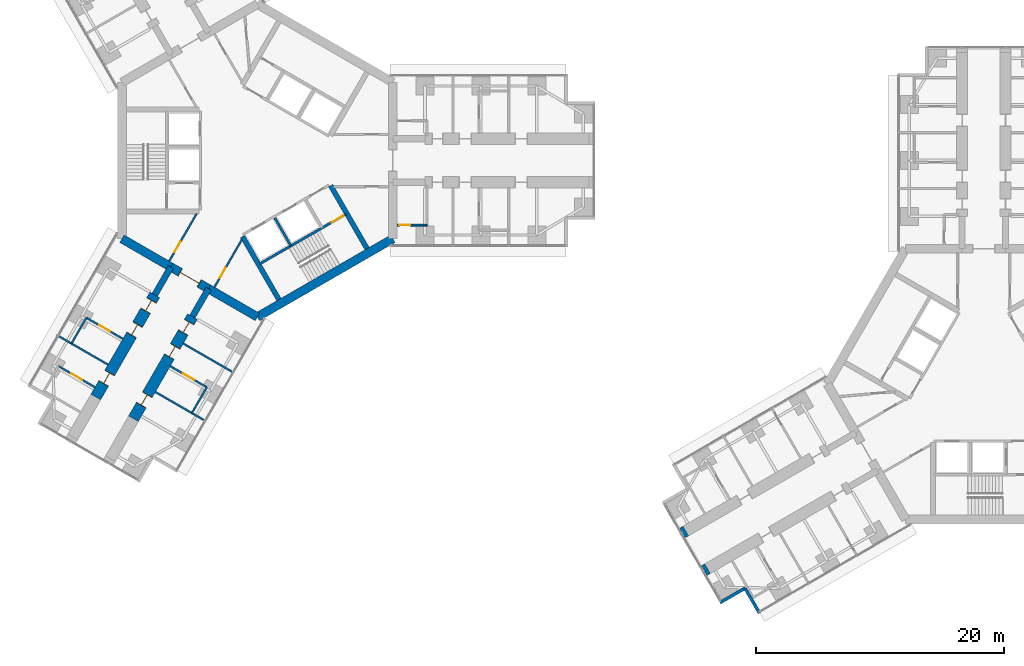
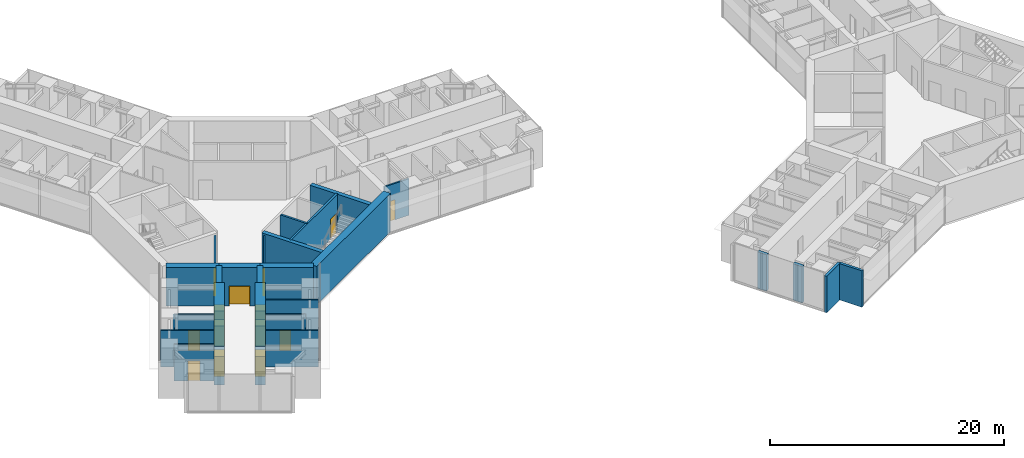
# One storey, part 16 of 24: 27 walls, 14 doors, 14 openings.
"""IFC4 building model written with IfcOpenShell, lengths in metres."""

from ifc_helpers import new_model, si_unit, direction, frame, frame_2d, origin, place, context, subcontext, project, spatial, rectangle, extrude, material, layer, layer_set, type_object, element, fill, save


model = new_model("IFC4")

# Units and contexts
model_context = context("Model", 3, precision=1e-05, world=origin(), true_north=direction((0.0, 1.0)))
body_context = subcontext(model_context, "Body", "Model", "MODEL_VIEW")
ifc_project = project(units=[si_unit("LENGTHUNIT", "METRE"), si_unit("AREAUNIT", "SQUARE_METRE"), si_unit("VOLUMEUNIT", "CUBIC_METRE"), si_unit("PLANEANGLEUNIT", "RADIAN"), si_unit("MASSUNIT", "GRAM", prefix="KILO")], contexts=[model_context])

# Site, building, storey
site_placement = place(None, origin())
site = spatial("IfcSite", under=ifc_project, at=site_placement, CompositionType="ELEMENT")
building_placement = place(site_placement, origin())
building = spatial("IfcBuilding", under=site, at=building_placement, Name="Upepo Twin Towers", CompositionType="ELEMENT")
storey_placement = place(building_placement, frame((0.0, 0.0, 68.5)))
storey = spatial("IfcBuildingStorey", under=building, at=storey_placement, Name="L16", CompositionType="ELEMENT", Elevation=68.5)

# Walls
ifc_material_1 = material(Name="Dense concrete blockwork", Category="masonry")
ifc_layer_1 = layer(ifc_material_1, 0.89990234375)
ifc_layer_set_1 = layer_set([ifc_layer_1], Name="Buttress closer 900, blockwork with fire-stopping to the curtain wall")
wall_type_1 = type_object("IfcWallType", Name="Buttress closer 900, blockwork with fire-stopping to the curtain wall", PredefinedType="PARTITIONING", material=ifc_layer_set_1)
for number, where, z_axis, x_axis, name in (
    (1, (36.252197265625, -32.865478515625, 0.0), (0.0, 0.0, 1.0), (-0.866054481515, -0.499949632511, 0.0), "T2 L16 wing B buttress closer L"),
    (2, (34.502197265625, -29.83447265625, 0.0), (0.0, 0.0, 1.0), (-0.866054481515, -0.499949632511, 0.0), "T2 L16 wing B buttress closer R"),
):
    element("IfcWall", number, at=place(storey_placement, frame(where, z_axis=z_axis, x_axis=x_axis)), inside=storey, type_object=wall_type_1, Name=name, PredefinedType="PARTITIONING", context=body_context, shape_type="SweptSolid", body=[
        extrude(rectangle(XDim=0.31005859375, YDim=0.89990234375, at=frame_2d((0.155029296875, 0.0))), origin(), (0.0, 0.0, 1.0), 3.800048828125),
    ])
ifc_material_2 = material(Name="Concrete C60/75", Category="concrete")
ifc_layer_2 = layer(ifc_material_2, 0.5)
ifc_layer_set_2 = layer_set([ifc_layer_2], Name="Concrete C60/75")
wall_type_2 = type_object("IfcWallType", Name="Buttress wall 500 RC", PredefinedType="SHEAR", material=ifc_layer_set_2)
for number, where, z_axis, x_axis, name in (
    (3, (-3.938720703125, -10.32177734375, 0.0), (0.0, 0.0, 1.0), (-0.499918158782, -0.866072649678, 0.0), "T1 wing C buttress wall L"),
    (4, (-6.9697265625, -8.57177734375, 0.0), (0.0, 0.0, 1.0), (-0.499988811324, -0.866031863473, 0.0), "T1 wing C buttress wall R"),
):
    element("IfcWall", number, at=place(storey_placement, frame(where, z_axis=z_axis, x_axis=x_axis)), inside=storey, type_object=wall_type_2, Name=name, PredefinedType="SHEAR", context=body_context, shape_type="SweptSolid", body=[
        extrude(rectangle(XDim=2.591796875, YDim=0.5, at=frame_2d((1.2958984375, 0.0))), origin(), (0.0, 0.0, 1.0), 4.0),
    ])

# Wall, openings, doors
ifc_material_3 = material(Name="Concrete C60/75", Category="concrete")
ifc_layer_3 = layer(ifc_material_3, 0.89990234375)
ifc_layer_set_3 = layer_set([ifc_layer_3], Name="Concrete C60/75")
wall_type_3 = type_object("IfcWallType", Name="Buttress wall 900 RC", PredefinedType="SHEAR", material=ifc_layer_set_3)
wall_1_placement = place(storey_placement, frame((-5.234375, -12.56640625, 0.0), z_axis=(0.0, 0.0, 1.0), x_axis=(-0.499997557548, -0.86602681393, 0.0)))
wall_1 = element("IfcWall", 5, at=wall_1_placement, inside=storey, type_object=wall_type_3, Name="T1 wing C buttress wall L part 2", PredefinedType="SHEAR", context=body_context, shape_type="SweptSolid", body=[
    extrude(rectangle(XDim=9.5, YDim=0.89990234375, at=frame_2d((4.75, 0.0))), origin(), (0.0, 0.0, 1.0), 4.0),
])
opening_1_placement = place(wall_1_placement, frame((0.5, 0.0, 0.0)))
opening_1 = element("IfcOpeningElement", 6, at=opening_1_placement, cuts=wall_1, Name="Opening D1", PredefinedType="OPENING", context=body_context, shape_type="SweptSolid", body=[
    extrude(rectangle(XDim=1.0, YDim=2.10009765625, at=frame_2d((0.5, 1.050048828125))), frame((0.0, 0.4599609375, 0.0), z_axis=(0.0, -1.0, 0.0), x_axis=(1.0, 0.0, 0.0)), (0.0, 0.0, 1.0), 0.919921875),
])
opening_2_placement = place(wall_1_placement, frame((2.75, 0.0, 0.0)))
opening_2 = element("IfcOpeningElement", 7, at=opening_2_placement, cuts=wall_1, Name="Opening D1", PredefinedType="OPENING", context=body_context, shape_type="SweptSolid", body=[
    extrude(rectangle(XDim=1.0, YDim=2.10009765625, at=frame_2d((0.5, 1.050048828125))), frame((0.0, 0.4599609375, 0.0), z_axis=(0.0, -1.0, 0.0), x_axis=(1.0, 0.0, 0.0)), (0.0, 0.0, 1.0), 0.919921875),
])
opening_3_placement = place(wall_1_placement, frame((7.25, 0.0, 0.0)))
opening_3 = element("IfcOpeningElement", 8, at=opening_3_placement, cuts=wall_1, Name="Opening D1", PredefinedType="OPENING", context=body_context, shape_type="SweptSolid", body=[
    extrude(rectangle(XDim=1.0, YDim=2.10009765625, at=frame_2d((0.5, 1.050048828125))), frame((0.0, 0.4599609375, 0.0), z_axis=(0.0, -1.0, 0.0), x_axis=(1.0, 0.0, 0.0)), (0.0, 0.0, 1.0), 0.919921875),
])
ifc_material_4 = material(Name="Timber doorset", Category="wood")
door_type_1 = type_object("IfcDoorType", Name="Room door 1000 FD30", OperationType="SINGLE_SWING_LEFT", PredefinedType="DOOR", material=ifc_material_4)
door_1_placement = place(opening_1_placement, origin())
door_1 = element("IfcDoor", 9, at=door_1_placement, inside=storey, type_object=door_type_1, Name="T1 L16 tutorial room door", OperationType="SINGLE_SWING_LEFT", OverallHeight=2.10009765625, OverallWidth=1.0, PredefinedType="DOOR", context=body_context, shape_type="SweptSolid", body=[
    extrude(rectangle(XDim=0.92, YDim=2.06009765625, at=frame_2d((0.5, 1.030029296875))), frame((0.0, 0.02490234375, 0.0), z_axis=(0.0, -1.0, 0.0), x_axis=(1.0, 0.0, 0.0)), (0.0, 0.0, 1.0), 0.050048828125),
    extrude(rectangle(XDim=0.04, YDim=2.10009765625, at=frame_2d((0.02001953125, 1.050048828125))), frame((0.0, 0.44970703125, 0.0), z_axis=(0.0, -1.0, 0.0), x_axis=(1.0, 0.0, 0.0)), (0.0, 0.0, 1.0), 0.8994140625),
    extrude(rectangle(XDim=0.04, YDim=2.10009765625, at=frame_2d((0.97998046875, 1.050048828125))), frame((0.0, 0.44970703125, 0.0), z_axis=(0.0, -1.0, 0.0), x_axis=(1.0, 0.0, 0.0)), (0.0, 0.0, 1.0), 0.8994140625),
    extrude(rectangle(XDim=0.92, YDim=0.04, at=frame_2d((0.5, 2.080078125))), frame((0.0, 0.44970703125, 0.0), z_axis=(0.0, -1.0, 0.0), x_axis=(1.0, 0.0, 0.0)), (0.0, 0.0, 1.0), 0.8994140625),
])
fill(opening_1, door_1)
door_2_placement = place(opening_2_placement, origin())
door_2 = element("IfcDoor", 10, at=door_2_placement, inside=storey, type_object=door_type_1, Name="T1 L16 computing laboratory door", OperationType="SINGLE_SWING_LEFT", OverallHeight=2.10009765625, OverallWidth=1.0, PredefinedType="DOOR", context=body_context, shape_type="SweptSolid", body=[
    extrude(rectangle(XDim=0.92, YDim=2.06009765625, at=frame_2d((0.5, 1.030029296875))), frame((0.0, 0.02490234375, 0.0), z_axis=(0.0, -1.0, 0.0), x_axis=(1.0, 0.0, 0.0)), (0.0, 0.0, 1.0), 0.050048828125),
    extrude(rectangle(XDim=0.04, YDim=2.10009765625, at=frame_2d((0.02001953125, 1.050048828125))), frame((0.0, 0.44970703125, 0.0), z_axis=(0.0, -1.0, 0.0), x_axis=(1.0, 0.0, 0.0)), (0.0, 0.0, 1.0), 0.8994140625),
    extrude(rectangle(XDim=0.04, YDim=2.10009765625, at=frame_2d((0.97998046875, 1.050048828125))), frame((0.0, 0.44970703125, 0.0), z_axis=(0.0, -1.0, 0.0), x_axis=(1.0, 0.0, 0.0)), (0.0, 0.0, 1.0), 0.8994140625),
    extrude(rectangle(XDim=0.92, YDim=0.04, at=frame_2d((0.5, 2.080078125))), frame((0.0, 0.44970703125, 0.0), z_axis=(0.0, -1.0, 0.0), x_axis=(1.0, 0.0, 0.0)), (0.0, 0.0, 1.0), 0.8994140625),
])
fill(opening_2, door_2)
door_3_placement = place(opening_3_placement, origin())
door_3 = element("IfcDoor", 11, at=door_3_placement, inside=storey, type_object=door_type_1, Name="T1 L16 seminar room door", OperationType="SINGLE_SWING_RIGHT", OverallHeight=2.10009765625, OverallWidth=1.0, PredefinedType="DOOR", context=body_context, shape_type="SweptSolid", body=[
    extrude(rectangle(XDim=0.92, YDim=2.06009765625, at=frame_2d((0.5, 1.030029296875))), frame((0.0, 0.02490234375, 0.0), z_axis=(0.0, -1.0, 0.0), x_axis=(1.0, 0.0, 0.0)), (0.0, 0.0, 1.0), 0.050048828125),
    extrude(rectangle(XDim=0.04, YDim=2.10009765625, at=frame_2d((0.02001953125, 1.050048828125))), frame((0.0, 0.44970703125, 0.0), z_axis=(0.0, -1.0, 0.0), x_axis=(1.0, 0.0, 0.0)), (0.0, 0.0, 1.0), 0.8994140625),
    extrude(rectangle(XDim=0.04, YDim=2.10009765625, at=frame_2d((0.97998046875, 1.050048828125))), frame((0.0, 0.44970703125, 0.0), z_axis=(0.0, -1.0, 0.0), x_axis=(1.0, 0.0, 0.0)), (0.0, 0.0, 1.0), 0.8994140625),
    extrude(rectangle(XDim=0.92, YDim=0.04, at=frame_2d((0.5, 2.080078125))), frame((0.0, 0.44970703125, 0.0), z_axis=(0.0, -1.0, 0.0), x_axis=(1.0, 0.0, 0.0)), (0.0, 0.0, 1.0), 0.8994140625),
])
fill(opening_3, door_3)

wall_2_placement = place(storey_placement, frame((-8.265625, -10.81640625, 0.0), z_axis=(0.0, 0.0, 1.0), x_axis=(-0.499997557548, -0.86602681393, 0.0)))
wall_2 = element("IfcWall", 12, at=wall_2_placement, inside=storey, type_object=wall_type_3, Name="T1 wing C buttress wall R part 2", PredefinedType="SHEAR", context=body_context, shape_type="SweptSolid", body=[
    extrude(rectangle(XDim=9.5, YDim=0.89990234375, at=frame_2d((4.75, 0.0))), origin(), (0.0, 0.0, 1.0), 4.0),
])
opening_4_placement = place(wall_2_placement, frame((0.5, 0.0, 0.0)))
opening_4 = element("IfcOpeningElement", 13, at=opening_4_placement, cuts=wall_2, Name="Opening D1", PredefinedType="OPENING", context=body_context, shape_type="SweptSolid", body=[
    extrude(rectangle(XDim=1.0, YDim=2.10009765625, at=frame_2d((0.5, 1.050048828125))), frame((0.0, 0.4599609375, 0.0), z_axis=(0.0, -1.0, 0.0), x_axis=(1.0, 0.0, 0.0)), (0.0, 0.0, 1.0), 0.919921875),
])
opening_5_placement = place(wall_2_placement, frame((2.75, 0.0, 0.0)))
opening_5 = element("IfcOpeningElement", 14, at=opening_5_placement, cuts=wall_2, Name="Opening D1", PredefinedType="OPENING", context=body_context, shape_type="SweptSolid", body=[
    extrude(rectangle(XDim=1.0, YDim=2.10009765625, at=frame_2d((0.5, 1.050048828125))), frame((0.0, 0.4599609375, 0.0), z_axis=(0.0, -1.0, 0.0), x_axis=(1.0, 0.0, 0.0)), (0.0, 0.0, 1.0), 0.919921875),
])
opening_6_placement = place(wall_2_placement, frame((7.25, 0.0, 0.0)))
opening_6 = element("IfcOpeningElement", 15, at=opening_6_placement, cuts=wall_2, Name="Opening D1", PredefinedType="OPENING", context=body_context, shape_type="SweptSolid", body=[
    extrude(rectangle(XDim=1.0, YDim=2.10009765625, at=frame_2d((0.5, 1.050048828125))), frame((0.0, 0.4599609375, 0.0), z_axis=(0.0, -1.0, 0.0), x_axis=(1.0, 0.0, 0.0)), (0.0, 0.0, 1.0), 0.919921875),
])
door_4_placement = place(opening_4_placement, origin())
door_4 = element("IfcDoor", 16, at=door_4_placement, inside=storey, type_object=door_type_1, Name="T1 L16 teaching laboratory door", OperationType="SINGLE_SWING_LEFT", OverallHeight=2.10009765625, OverallWidth=1.0, PredefinedType="DOOR", context=body_context, shape_type="SweptSolid", body=[
    extrude(rectangle(XDim=0.92, YDim=2.06009765625, at=frame_2d((0.5, 1.030029296875))), frame((0.0, 0.02490234375, 0.0), z_axis=(0.0, -1.0, 0.0), x_axis=(1.0, 0.0, 0.0)), (0.0, 0.0, 1.0), 0.050048828125),
    extrude(rectangle(XDim=0.04, YDim=2.10009765625, at=frame_2d((0.02001953125, 1.050048828125))), frame((0.0, 0.44970703125, 0.0), z_axis=(0.0, -1.0, 0.0), x_axis=(1.0, 0.0, 0.0)), (0.0, 0.0, 1.0), 0.8994140625),
    extrude(rectangle(XDim=0.04, YDim=2.10009765625, at=frame_2d((0.97998046875, 1.050048828125))), frame((0.0, 0.44970703125, 0.0), z_axis=(0.0, -1.0, 0.0), x_axis=(1.0, 0.0, 0.0)), (0.0, 0.0, 1.0), 0.8994140625),
    extrude(rectangle(XDim=0.92, YDim=0.04, at=frame_2d((0.5, 2.080078125))), frame((0.0, 0.44970703125, 0.0), z_axis=(0.0, -1.0, 0.0), x_axis=(1.0, 0.0, 0.0)), (0.0, 0.0, 1.0), 0.8994140625),
])
fill(opening_4, door_4)
door_5_placement = place(opening_5_placement, origin())
door_5 = element("IfcDoor", 17, at=door_5_placement, inside=storey, type_object=door_type_1, Name="T1 L16 teaching laboratory door", OperationType="SINGLE_SWING_LEFT", OverallHeight=2.10009765625, OverallWidth=1.0, PredefinedType="DOOR", context=body_context, shape_type="SweptSolid", body=[
    extrude(rectangle(XDim=0.92, YDim=2.06009765625, at=frame_2d((0.5, 1.030029296875))), frame((0.0, 0.02490234375, 0.0), z_axis=(0.0, -1.0, 0.0), x_axis=(1.0, 0.0, 0.0)), (0.0, 0.0, 1.0), 0.050048828125),
    extrude(rectangle(XDim=0.04, YDim=2.10009765625, at=frame_2d((0.02001953125, 1.050048828125))), frame((0.0, 0.44970703125, 0.0), z_axis=(0.0, -1.0, 0.0), x_axis=(1.0, 0.0, 0.0)), (0.0, 0.0, 1.0), 0.8994140625),
    extrude(rectangle(XDim=0.04, YDim=2.10009765625, at=frame_2d((0.97998046875, 1.050048828125))), frame((0.0, 0.44970703125, 0.0), z_axis=(0.0, -1.0, 0.0), x_axis=(1.0, 0.0, 0.0)), (0.0, 0.0, 1.0), 0.8994140625),
    extrude(rectangle(XDim=0.92, YDim=0.04, at=frame_2d((0.5, 2.080078125))), frame((0.0, 0.44970703125, 0.0), z_axis=(0.0, -1.0, 0.0), x_axis=(1.0, 0.0, 0.0)), (0.0, 0.0, 1.0), 0.8994140625),
])
fill(opening_5, door_5)
door_6_placement = place(opening_6_placement, origin())
door_6 = element("IfcDoor", 18, at=door_6_placement, inside=storey, type_object=door_type_1, Name="T1 L16 staff office door", OperationType="SINGLE_SWING_RIGHT", OverallHeight=2.10009765625, OverallWidth=1.0, PredefinedType="DOOR", context=body_context, shape_type="SweptSolid", body=[
    extrude(rectangle(XDim=0.92, YDim=2.06009765625, at=frame_2d((0.5, 1.030029296875))), frame((0.0, 0.02490234375, 0.0), z_axis=(0.0, -1.0, 0.0), x_axis=(1.0, 0.0, 0.0)), (0.0, 0.0, 1.0), 0.050048828125),
    extrude(rectangle(XDim=0.04, YDim=2.10009765625, at=frame_2d((0.02001953125, 1.050048828125))), frame((0.0, 0.44970703125, 0.0), z_axis=(0.0, -1.0, 0.0), x_axis=(1.0, 0.0, 0.0)), (0.0, 0.0, 1.0), 0.8994140625),
    extrude(rectangle(XDim=0.04, YDim=2.10009765625, at=frame_2d((0.97998046875, 1.050048828125))), frame((0.0, 0.44970703125, 0.0), z_axis=(0.0, -1.0, 0.0), x_axis=(1.0, 0.0, 0.0)), (0.0, 0.0, 1.0), 0.8994140625),
    extrude(rectangle(XDim=0.92, YDim=0.04, at=frame_2d((0.5, 2.080078125))), frame((0.0, 0.44970703125, 0.0), z_axis=(0.0, -1.0, 0.0), x_axis=(1.0, 0.0, 0.0)), (0.0, 0.0, 1.0), 0.8994140625),
])
fill(opening_6, door_6)

# Wall
ifc_material_5 = material(Name="Concrete C60/75", Category="concrete")
ifc_layer_4 = layer(ifc_material_5, 0.699951171875)
ifc_layer_set_4 = layer_set([ifc_layer_4], Name="Concrete C60/75")
wall_type_4 = type_object("IfcWallType", Name="Core wall 700 RC", PredefinedType="SHEAR", material=ifc_layer_set_4)
wall_3_placement = place(storey_placement, frame((-10.908447265625, -6.2978515625, 0.0), z_axis=(0.0, 0.0, 1.0), x_axis=(0.866034513004, -0.499984222037, 0.0)))
element("IfcWall", 19, at=wall_3_placement, inside=storey, type_object=wall_type_4, Name="T1 core wall 240 R", PredefinedType="SHEAR", context=body_context, shape_type="SweptSolid", body=[
    extrude(rectangle(XDim=4.548095703125, YDim=0.699951171875, at=frame_2d((2.27392578125, 0.0))), origin(), (0.0, 0.0, 1.0), 4.0),
])

# Wall, opening, door
wall_4_placement = place(storey_placement, frame((-6.9697265625, -8.57177734375, 0.0), z_axis=(0.0, 0.0, 1.0), x_axis=(0.866019471182, -0.500010275428, 0.0)))
wall_4 = element("IfcWall", 20, at=wall_4_placement, inside=storey, type_object=wall_type_4, Name="T1 core wall 240", PredefinedType="SHEAR", context=body_context, shape_type="SweptSolid", body=[
    extrude(rectangle(XDim=3.5, YDim=0.699951171875, at=frame_2d((1.75, 0.0))), origin(), (0.0, 0.0, 1.0), 4.0),
])
opening_7_placement = place(wall_4_placement, frame((0.85009765625, 0.0, 0.0)))
opening_7 = element("IfcOpeningElement", 21, at=opening_7_placement, cuts=wall_4, Name="Opening D2", PredefinedType="OPENING", context=body_context, shape_type="SweptSolid", body=[
    extrude(rectangle(XDim=1.800048828125, YDim=2.10009765625, at=frame_2d((0.89990234375, 1.050048828125))), frame((0.0, 0.35986328125, 0.0), z_axis=(0.0, -1.0, 0.0), x_axis=(1.0, 0.0, 0.0)), (0.0, 0.0, 1.0), 0.719970703125),
])
ifc_material_6 = material(Name="Timber doorset", Category="wood")
door_type_2 = type_object("IfcDoorType", Name="Corridor double door 1800 FD60", OperationType="DOUBLE_DOOR_DOUBLE_SWING", PredefinedType="DOOR", material=ifc_material_6)
door_7_placement = place(opening_7_placement, origin())
door_7 = element("IfcDoor", 22, at=door_7_placement, inside=storey, type_object=door_type_2, Name="T1 L16 wing C corridor door", OperationType="DOUBLE_DOOR_DOUBLE_SWING", OverallHeight=2.10009765625, OverallWidth=1.800048828125, PredefinedType="DOOR", context=body_context, shape_type="SweptSolid", body=[
    extrude(rectangle(XDim=1.720048828125, YDim=2.06009765625, at=frame_2d((0.89990234375, 1.030029296875))), frame((0.0, 0.02490234375, 0.0), z_axis=(0.0, -1.0, 0.0), x_axis=(1.0, 0.0, 0.0)), (0.0, 0.0, 1.0), 0.050048828125),
    extrude(rectangle(XDim=0.04, YDim=2.10009765625, at=frame_2d((0.02001953125, 1.050048828125))), frame((0.0, 0.349609375, 0.0), z_axis=(0.0, -1.0, 0.0), x_axis=(1.0, 0.0, 0.0)), (0.0, 0.0, 1.0), 0.699462890625),
    extrude(rectangle(XDim=0.04, YDim=2.10009765625, at=frame_2d((1.780029296875, 1.050048828125))), frame((0.0, 0.349609375, 0.0), z_axis=(0.0, -1.0, 0.0), x_axis=(1.0, 0.0, 0.0)), (0.0, 0.0, 1.0), 0.699462890625),
    extrude(rectangle(XDim=1.720048828125, YDim=0.04, at=frame_2d((0.89990234375, 2.080078125))), frame((0.0, 0.349609375, 0.0), z_axis=(0.0, -1.0, 0.0), x_axis=(1.0, 0.0, 0.0)), (0.0, 0.0, 1.0), 0.699462890625),
])
fill(opening_7, door_7)

# Walls
wall_5_placement = place(storey_placement, frame((-3.938720703125, -10.32177734375, 0.0), z_axis=(0.0, 0.0, 1.0), x_axis=(0.866011268655, -0.500024481964, 0.0)))
element("IfcWall", 23, at=wall_5_placement, inside=storey, type_object=wall_type_4, Name="T1 core wall 240 L", PredefinedType="SHEAR", context=body_context, shape_type="SweptSolid", body=[
    extrude(rectangle(XDim=4.548095703125, YDim=0.699951171875, at=frame_2d((2.27392578125, 0.0))), origin(), (0.0, 0.0, 1.0), 4.0),
])
wall_6_placement = place(storey_placement, frame((0.0, -12.595947265625, 0.0), z_axis=(0.0, 0.0, 1.0), x_axis=(0.866021940709, 0.500005998175, 0.0)))
element("IfcWall", 24, at=wall_6_placement, inside=storey, type_object=wall_type_4, Name="T1 core wall 300", PredefinedType="SHEAR", context=body_context, shape_type="SweptSolid", body=[
    extrude(rectangle(XDim=12.595947265625, YDim=0.699951171875, at=frame_2d((6.2978515625, 0.0))), origin(), (0.0, 0.0, 1.0), 4.0),
])
ifc_material_7 = material(Name="Blockwork with anodised aluminium cladding", Category="masonry")
ifc_layer_5 = layer(ifc_material_7, 0.25)
ifc_layer_set_5 = layer_set([ifc_layer_5], Name="Notch cladding wall 250, pale metal")
wall_type_5 = type_object("IfcWallType", Name="Notch cladding wall 250, pale metal", PredefinedType="STANDARD", material=ifc_layer_set_5)
for number, where, z_axis, x_axis, name in (
    (25, (40.4326171875, -36.456298828125, 0.0), (0.0, 0.0, 1.0), (-0.500046648681, 0.865998469481, 0.0), "T2 L16 wing B notch wall L1"),
    (26, (39.27001953125, -34.44287109375, 0.0), (0.0, 0.0, 1.0), (-0.865998469481, -0.500046648681, 0.0), "T2 L16 wing B notch wall L2"),
):
    element("IfcWall", number, at=place(storey_placement, frame(where, z_axis=z_axis, x_axis=x_axis)), inside=storey, type_object=wall_type_5, Name=name, PredefinedType="STANDARD", context=body_context, shape_type="SweptSolid", body=[
        extrude(rectangle(XDim=2.324951171875, YDim=0.25, at=frame_2d((1.16259765625, 0.0))), origin(), (0.0, 0.0, 1.0), 3.800048828125),
    ])
ifc_material_8 = material(Name="Concrete C40/50", Category="concrete")
ifc_layer_6 = layer(ifc_material_8, 0.199951171875)
ifc_layer_set_6 = layer_set([ifc_layer_6], Name="Concrete C40/50")
wall_type_6 = type_object("IfcWallType", Name="Shaft wall 200 RC", PredefinedType="SHEAR", material=ifc_layer_set_6)
wall_7_placement = place(storey_placement, frame((1.3974609375, -4.620361328125, 0.0), z_axis=(0.0, 0.0, 1.0), x_axis=(0.499936506574, -0.866062058628, 0.0)))
element("IfcWall", 27, at=wall_7_placement, inside=storey, type_object=wall_type_6, Name="T1 core W300 shaft divider", PredefinedType="SHEAR", context=body_context, shape_type="SweptSolid", body=[
    extrude(rectangle(XDim=2.599853515625, YDim=0.199951171875, at=frame_2d((1.2998046875, 0.0))), origin(), (0.0, 0.0, 1.0), 4.0),
])

# Wall, opening, door
wall_8_placement = place(storey_placement, frame((0.185791015625, -8.322021484375, 0.0), z_axis=(0.0, 0.0, 1.0), x_axis=(0.866026010844, 0.49999894854, 0.0)))
wall_8 = element("IfcWall", 28, at=wall_8_placement, inside=storey, type_object=wall_type_6, Name="T1 core W300 stair wall", PredefinedType="SHEAR", context=body_context, shape_type="SweptSolid", body=[
    extrude(rectangle(XDim=8.0, YDim=0.199951171875, at=frame_2d((4.0, 0.0))), origin(), (0.0, 0.0, 1.0), 4.0),
])
opening_8_placement = place(wall_8_placement, frame((6.699951171875, 0.0, 0.0)))
opening_8 = element("IfcOpeningElement", 29, at=opening_8_placement, cuts=wall_8, Name="Opening D3", PredefinedType="OPENING", context=body_context, shape_type="SweptSolid", body=[
    extrude(rectangle(XDim=1.10009765625, YDim=2.10009765625, at=frame_2d((0.550048828125, 1.050048828125))), frame((0.0, 0.10986328125, 0.0), z_axis=(0.0, -1.0, 0.0), x_axis=(1.0, 0.0, 0.0)), (0.0, 0.0, 1.0), 0.219970703125),
])
ifc_material_9 = material(Name="Timber doorset", Category="wood")
door_type_3 = type_object("IfcDoorType", Name="Stair door 1100 FD60", OperationType="SINGLE_SWING_LEFT", PredefinedType="DOOR", material=ifc_material_9)
door_8_placement = place(opening_8_placement, origin())
door_8 = element("IfcDoor", 30, at=door_8_placement, inside=storey, type_object=door_type_3, Name="T1 L16 stair door", OperationType="SINGLE_SWING_RIGHT", OverallHeight=2.10009765625, OverallWidth=1.10009765625, PredefinedType="DOOR", context=body_context, shape_type="SweptSolid", body=[
    extrude(rectangle(XDim=1.10009765625, YDim=2.10009765625, at=frame_2d((0.550048828125, 1.050048828125))), frame((0.0, 0.02490234375, 0.0), z_axis=(0.0, -1.0, 0.0), x_axis=(1.0, 0.0, 0.0)), (0.0, 0.0, 1.0), 0.050048828125),
])
fill(opening_8, door_8)

# Walls
ifc_material_10 = material(Name="Concrete C40/50", Category="concrete")
ifc_layer_7 = layer(ifc_material_10, 0.39990234375)
ifc_layer_set_7 = layer_set([ifc_layer_7], Name="Concrete C40/50")
wall_type_7 = type_object("IfcWallType", Name="Shaft wall 400 RC", PredefinedType="SHEAR", material=ifc_layer_set_7)
for number, where, z_axis, x_axis, name in (
    (31, (5.900634765625, -2.020263671875, 0.0), (0.0, 0.0, 1.0), (0.500002627198, -0.866023886965, 0.0), "T1 core W300 side wall N"),
    (32, (-1.20068359375, -6.120361328125, 0.0), (0.0, 0.0, 1.0), (0.500002627198, -0.866023886965, 0.0), "T1 core W300 side wall S"),
):
    element("IfcWall", number, at=place(storey_placement, frame(where, z_axis=z_axis, x_axis=x_axis)), inside=storey, type_object=wall_type_7, Name=name, PredefinedType="SHEAR", context=body_context, shape_type="SweptSolid", body=[
        extrude(rectangle(XDim=5.8583984375, YDim=0.39990234375, at=frame_2d((2.92919921875, 0.0))), origin(), (0.0, 0.0, 1.0), 4.0),
    ])

# Wall, opening, door
ifc_material_11 = material(Name="Gypsum board on steel studs", Category="steel")
ifc_layer_8 = layer(ifc_material_11, 0.14990234375)
ifc_layer_set_8 = layer_set([ifc_layer_8], Name="Teaching partition 150 acoustic")
wall_type_8 = type_object("IfcWallType", Name="Teaching partition 150 acoustic", PredefinedType="PARTITIONING", material=ifc_layer_set_8)
wall_9_placement = place(storey_placement, frame((11.258056640625, -5.199951171875, 0.0), z_axis=(0.0, 0.0, 1.0), x_axis=(1.0, 0.0, 0.0)))
wall_9 = element("IfcWall", 33, at=wall_9_placement, inside=storey, type_object=wall_type_8, Name="T1 WC bay partition AR at 11.26", PredefinedType="PARTITIONING", context=body_context, shape_type="SweptSolid", body=[
    extrude(rectangle(XDim=2.39990234375, YDim=0.14990234375, at=frame_2d((1.199951171875, 0.0))), origin(), (0.0, 0.0, 1.0), 3.800048828125),
])
opening_9_placement = place(wall_9_placement, frame((0.14990234375, 0.0, 0.0)))
opening_9 = element("IfcOpeningElement", 34, at=opening_9_placement, cuts=wall_9, Name="Opening D14", PredefinedType="OPENING", context=body_context, shape_type="SweptSolid", body=[
    extrude(rectangle(XDim=0.89990234375, YDim=2.10009765625, at=frame_2d((0.449951171875, 1.050048828125))), frame((0.0, 0.0849609375, 0.0), z_axis=(0.0, -1.0, 0.0), x_axis=(1.0, 0.0, 0.0)), (0.0, 0.0, 1.0), 0.169921875),
])
ifc_material_12 = material(Name="Timber doorset", Category="wood")
door_type_4 = type_object("IfcDoorType", Name="Office door 900 FD30", OperationType="SINGLE_SWING_LEFT", PredefinedType="DOOR", material=ifc_material_12)
door_9_placement = place(opening_9_placement, origin())
door_9 = element("IfcDoor", 35, at=door_9_placement, inside=storey, type_object=door_type_4, Name="T1 L16 WC bay inner room door", OperationType="SINGLE_SWING_LEFT", OverallHeight=2.10009765625, OverallWidth=0.89990234375, PredefinedType="DOOR", context=body_context, shape_type="SweptSolid", body=[
    extrude(rectangle(XDim=0.89990234375, YDim=2.10009765625, at=frame_2d((0.449951171875, 1.050048828125))), frame((0.0, 0.02490234375, 0.0), z_axis=(0.0, -1.0, 0.0), x_axis=(1.0, 0.0, 0.0)), (0.0, 0.0, 1.0), 0.050048828125),
])
fill(opening_9, door_9)

# Walls
for number, where, z_axis, x_axis, name in (
    (36, (-5.9697265625, -14.739990234375, 0.0), (0.0, 0.0, 1.0), (0.866035472144, -0.499982560684, 0.0), "T1 partition CL at 15.75"),
    (37, (-8.2197265625, -18.636962890625, 0.0), (0.0, 0.0, 1.0), (0.866012237902, -0.500022803284, 0.0), "T1 partition CL at 20.25"),
):
    element("IfcWall", number, at=place(storey_placement, frame(where, z_axis=z_axis, x_axis=x_axis)), inside=storey, type_object=wall_type_8, Name=name, PredefinedType="PARTITIONING", context=body_context, shape_type="SweptSolid", body=[
        extrude(rectangle(XDim=4.550048828125, YDim=0.14990234375, at=frame_2d((2.27490234375, 0.0))), origin(), (0.0, 0.0, 1.0), 3.800048828125),
    ])
wall_10_placement = place(storey_placement, frame((-4.0751953125, -18.258544921875, 0.0), z_axis=(0.0, 0.0, 1.0), x_axis=(-0.500001309137, -0.866024647952, 0.0)))
element("IfcWall", 38, at=wall_10_placement, inside=storey, type_object=wall_type_8, Name="T1 inner room partition CL at 17.85", PredefinedType="PARTITIONING", context=body_context, shape_type="SweptSolid", body=[
    extrude(rectangle(XDim=2.39990234375, YDim=0.14990234375, at=frame_2d((1.199951171875, 0.0))), origin(), (0.0, 0.0, 1.0), 3.800048828125),
])

# Wall, opening, door
wall_11_placement = place(storey_placement, frame((-7.019775390625, -16.55859375, 0.0), z_axis=(0.0, 0.0, 1.0), x_axis=(0.866038511948, -0.499977295307, 0.0)))
wall_11 = element("IfcWall", 39, at=wall_11_placement, inside=storey, type_object=wall_type_8, Name="T1 inner room partition CL end at 17.85", PredefinedType="PARTITIONING", context=body_context, shape_type="SweptSolid", body=[
    extrude(rectangle(XDim=3.400146484375, YDim=0.14990234375, at=frame_2d((1.7001953125, 0.0))), origin(), (0.0, 0.0, 1.0), 3.800048828125),
])
opening_10_placement = place(wall_11_placement, frame((1.199951171875, 0.0, 0.0)))
opening_10 = element("IfcOpeningElement", 40, at=opening_10_placement, cuts=wall_11, Name="Opening D1", PredefinedType="OPENING", context=body_context, shape_type="SweptSolid", body=[
    extrude(rectangle(XDim=1.0, YDim=2.10009765625, at=frame_2d((0.5, 1.050048828125))), frame((0.0, 0.0849609375, 0.0), z_axis=(0.0, -1.0, 0.0), x_axis=(1.0, 0.0, 0.0)), (0.0, 0.0, 1.0), 0.169921875),
])
door_10_placement = place(opening_10_placement, origin())
door_10 = element("IfcDoor", 41, at=door_10_placement, inside=storey, type_object=door_type_1, Name="T1 L16 inner room door", OperationType="SINGLE_SWING_LEFT", OverallHeight=2.10009765625, OverallWidth=1.0, PredefinedType="DOOR", context=body_context, shape_type="SweptSolid", body=[
    extrude(rectangle(XDim=1.0, YDim=2.10009765625, at=frame_2d((0.5, 1.050048828125))), frame((0.0, 0.02490234375, 0.0), z_axis=(0.0, -1.0, 0.0), x_axis=(1.0, 0.0, 0.0)), (0.0, 0.0, 1.0), 0.050048828125),
])
fill(opening_10, door_10)

# Walls
wall_12_placement = place(storey_placement, frame((-12.0302734375, -16.43701171875, 0.0), z_axis=(0.0, 0.0, 1.0), x_axis=(-0.866035472144, 0.499982560684, 0.0)))
element("IfcWall", 42, at=wall_12_placement, inside=storey, type_object=wall_type_8, Name="T1 partition CR at 20.25", PredefinedType="PARTITIONING", context=body_context, shape_type="SweptSolid", body=[
    extrude(rectangle(XDim=4.550048828125, YDim=0.14990234375, at=frame_2d((2.27490234375, 0.0))), origin(), (0.0, 0.0, 1.0), 3.800048828125),
])
wall_13_placement = place(storey_placement, frame((-13.774658203125, -12.658447265625, 0.0), z_axis=(0.0, 0.0, 1.0), x_axis=(-0.500033551112, -0.866006032174, 0.0)))
element("IfcWall", 43, at=wall_13_placement, inside=storey, type_object=wall_type_8, Name="T1 inner room partition CR at 17.85", PredefinedType="PARTITIONING", context=body_context, shape_type="SweptSolid", body=[
    extrude(rectangle(XDim=2.400146484375, YDim=0.14990234375, at=frame_2d((1.2001953125, 0.0))), origin(), (0.0, 0.0, 1.0), 3.800048828125),
])

# Wall, opening, door
wall_14_placement = place(storey_placement, frame((-10.830322265625, -14.358642578125, 0.0), z_axis=(0.0, 0.0, 1.0), x_axis=(-0.865989465428, 0.500062241894, 0.0)))
wall_14 = element("IfcWall", 44, at=wall_14_placement, inside=storey, type_object=wall_type_8, Name="T1 inner room partition CR end at 17.85", PredefinedType="PARTITIONING", context=body_context, shape_type="SweptSolid", body=[
    extrude(rectangle(XDim=3.39990234375, YDim=0.14990234375, at=frame_2d((1.699951171875, 0.0))), origin(), (0.0, 0.0, 1.0), 3.800048828125),
])
opening_11_placement = place(wall_14_placement, frame((1.199951171875, 0.0, 0.0)))
opening_11 = element("IfcOpeningElement", 45, at=opening_11_placement, cuts=wall_14, Name="Opening D1", PredefinedType="OPENING", context=body_context, shape_type="SweptSolid", body=[
    extrude(rectangle(XDim=1.0, YDim=2.10009765625, at=frame_2d((0.5, 1.050048828125))), frame((0.0, 0.0849609375, 0.0), z_axis=(0.0, -1.0, 0.0), x_axis=(1.0, 0.0, 0.0)), (0.0, 0.0, 1.0), 0.169921875),
])
door_11_placement = place(opening_11_placement, origin())
door_11 = element("IfcDoor", 46, at=door_11_placement, inside=storey, type_object=door_type_1, Name="T1 L16 inner room door", OperationType="SINGLE_SWING_LEFT", OverallHeight=2.10009765625, OverallWidth=1.0, PredefinedType="DOOR", context=body_context, shape_type="SweptSolid", body=[
    extrude(rectangle(XDim=1.0, YDim=2.10009765625, at=frame_2d((0.5, 1.050048828125))), frame((0.0, 0.02490234375, 0.0), z_axis=(0.0, -1.0, 0.0), x_axis=(1.0, 0.0, 0.0)), (0.0, 0.0, 1.0), 0.050048828125),
])
fill(opening_11, door_11)

wall_15_placement = place(storey_placement, frame((-13.080322265625, -18.255615234375, 0.0), z_axis=(0.0, 0.0, 1.0), x_axis=(-0.866020560687, 0.500008388397, 0.0)))
wall_15 = element("IfcWall", 47, at=wall_15_placement, inside=storey, type_object=wall_type_8, Name="T1 inner room partition CR end at 22.35", PredefinedType="PARTITIONING", context=body_context, shape_type="SweptSolid", body=[
    extrude(rectangle(XDim=3.39990234375, YDim=0.14990234375, at=frame_2d((1.699951171875, 0.0))), origin(), (0.0, 0.0, 1.0), 3.800048828125),
])
opening_12_placement = place(wall_15_placement, frame((1.199951171875, 0.0, 0.0)))
opening_12 = element("IfcOpeningElement", 48, at=opening_12_placement, cuts=wall_15, Name="Opening D1", PredefinedType="OPENING", context=body_context, shape_type="SweptSolid", body=[
    extrude(rectangle(XDim=1.0, YDim=2.10009765625, at=frame_2d((0.5, 1.050048828125))), frame((0.0, 0.0849609375, 0.0), z_axis=(0.0, -1.0, 0.0), x_axis=(1.0, 0.0, 0.0)), (0.0, 0.0, 1.0), 0.169921875),
])
door_12_placement = place(opening_12_placement, origin())
door_12 = element("IfcDoor", 49, at=door_12_placement, inside=storey, type_object=door_type_1, Name="T1 L16 inner room door", OperationType="SINGLE_SWING_LEFT", OverallHeight=2.10009765625, OverallWidth=1.0, PredefinedType="DOOR", context=body_context, shape_type="SweptSolid", body=[
    extrude(rectangle(XDim=1.0, YDim=2.10009765625, at=frame_2d((0.5, 1.050048828125))), frame((0.0, 0.02490234375, 0.0), z_axis=(0.0, -1.0, 0.0), x_axis=(1.0, 0.0, 0.0)), (0.0, 0.0, 1.0), 0.050048828125),
])
fill(opening_12, door_12)

wall_16_placement = place(storey_placement, frame((-1.252685546875, -6.36962890625, 0.0), z_axis=(0.0, 0.0, 1.0), x_axis=(-0.500007369519, -0.866021148949, 0.0)))
wall_16 = element("IfcWall", 50, at=wall_16_placement, inside=storey, type_object=wall_type_8, Name="T1 core room partition 1", PredefinedType="PARTITIONING", context=body_context, shape_type="SweptSolid", body=[
    extrude(rectangle(XDim=4.42578125, YDim=0.14990234375, at=frame_2d((2.212890625, 0.0))), origin(), (0.0, 0.0, 1.0), 3.800048828125),
])
opening_13_placement = place(wall_16_placement, frame((2.597900390625, 0.0, 0.0)))
opening_13 = element("IfcOpeningElement", 51, at=opening_13_placement, cuts=wall_16, Name="Opening D1", PredefinedType="OPENING", context=body_context, shape_type="SweptSolid", body=[
    extrude(rectangle(XDim=1.0, YDim=2.10009765625, at=frame_2d((0.5, 1.050048828125))), frame((0.0, 0.0849609375, 0.0), z_axis=(0.0, -1.0, 0.0), x_axis=(1.0, 0.0, 0.0)), (0.0, 0.0, 1.0), 0.169921875),
])
door_13_placement = place(opening_13_placement, origin())
door_13 = element("IfcDoor", 52, at=door_13_placement, inside=storey, type_object=door_type_1, Name="T1 L16 core room door K2", OperationType="SINGLE_SWING_RIGHT", OverallHeight=2.10009765625, OverallWidth=1.0, PredefinedType="DOOR", context=body_context, shape_type="SweptSolid", body=[
    extrude(rectangle(XDim=1.0, YDim=2.10009765625, at=frame_2d((0.5, 1.050048828125))), frame((0.0, 0.02490234375, 0.0), z_axis=(0.0, -1.0, 0.0), x_axis=(1.0, 0.0, 0.0)), (0.0, 0.0, 1.0), 0.050048828125),
])
fill(opening_13, door_13)

wall_17_placement = place(storey_placement, frame((-7.102783203125, -8.1025390625, 0.0), z_axis=(0.0, 0.0, 1.0), x_axis=(0.500007369519, 0.866021148949, 0.0)))
wall_17 = element("IfcWall", 53, at=wall_17_placement, inside=storey, type_object=wall_type_8, Name="T1 core room partition 2", PredefinedType="PARTITIONING", context=body_context, shape_type="SweptSolid", body=[
    extrude(rectangle(XDim=4.42578125, YDim=0.14990234375, at=frame_2d((2.212890625, 0.0))), origin(), (0.0, 0.0, 1.0), 3.800048828125),
])
opening_14_placement = place(wall_17_placement, frame((0.82763671875, 0.0, 0.0)))
opening_14 = element("IfcOpeningElement", 54, at=opening_14_placement, cuts=wall_17, Name="Opening D1", PredefinedType="OPENING", context=body_context, shape_type="SweptSolid", body=[
    extrude(rectangle(XDim=1.0, YDim=2.10009765625, at=frame_2d((0.5, 1.050048828125))), frame((0.0, 0.0849609375, 0.0), z_axis=(0.0, -1.0, 0.0), x_axis=(1.0, 0.0, 0.0)), (0.0, 0.0, 1.0), 0.169921875),
])
door_14_placement = place(opening_14_placement, origin())
door_14 = element("IfcDoor", 55, at=door_14_placement, inside=storey, type_object=door_type_1, Name="T1 L16 core room door K1", OperationType="SINGLE_SWING_LEFT", OverallHeight=2.10009765625, OverallWidth=1.0, PredefinedType="DOOR", context=body_context, shape_type="SweptSolid", body=[
    extrude(rectangle(XDim=1.0, YDim=2.10009765625, at=frame_2d((0.5, 1.050048828125))), frame((0.0, 0.02490234375, 0.0), z_axis=(0.0, -1.0, 0.0), x_axis=(1.0, 0.0, 0.0)), (0.0, 0.0, 1.0), 0.050048828125),
])
fill(opening_14, door_14)

save(model, "model.ifc")
